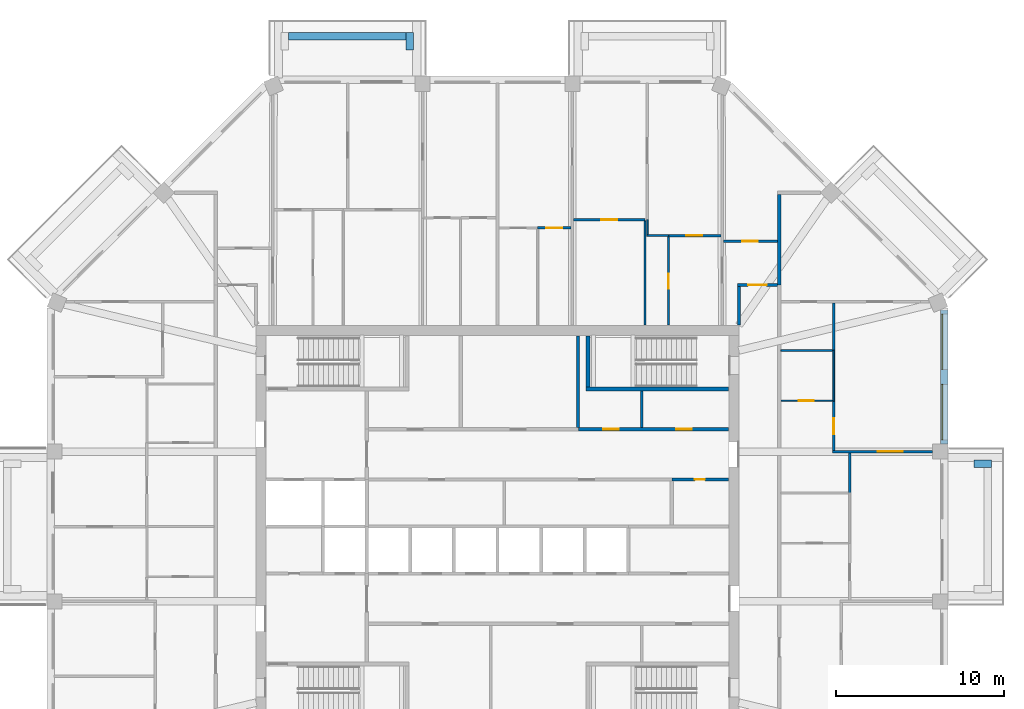
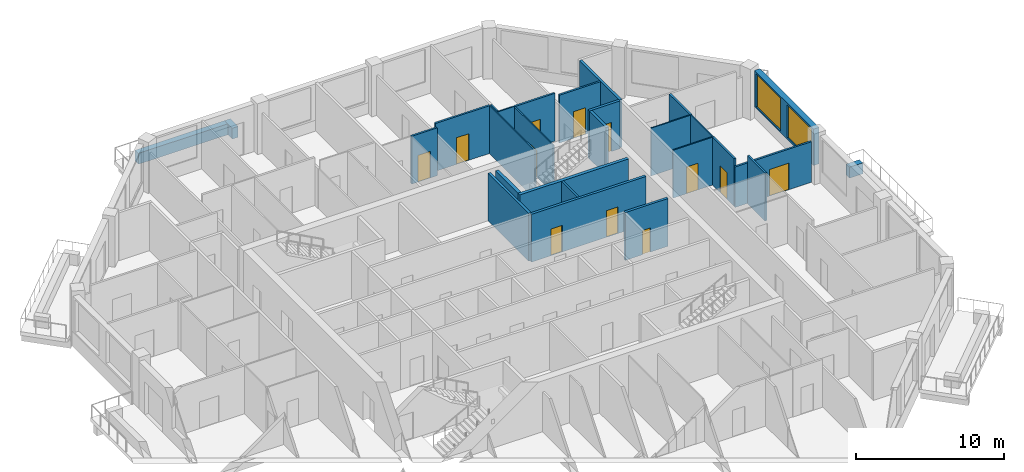
# One storey, part 9 of 13: 28 walls, 12 doors, 2 windows, 14 openings.
"""IFC4 building model written with IfcOpenShell, lengths in metres."""

from ifc_helpers import new_model, si_unit, direction, frame, frame_2d, origin, place, context, subcontext, project, spatial, rectangle, extrude, material, layer, layer_set, type_object, element, fill, save


model = new_model("IFC4")

# Units and contexts
model_context = context("Model", 3, precision=1e-05, world=origin(), true_north=direction((0.0, 1.0)))
body_context = subcontext(model_context, "Body", "Model", "MODEL_VIEW")
ifc_project = project(units=[si_unit("LENGTHUNIT", "METRE"), si_unit("AREAUNIT", "SQUARE_METRE"), si_unit("VOLUMEUNIT", "CUBIC_METRE"), si_unit("PLANEANGLEUNIT", "RADIAN"), si_unit("MASSUNIT", "GRAM", prefix="KILO")], contexts=[model_context])

# Site, building, storey
site_placement = place(None, origin())
site = spatial("IfcSite", under=ifc_project, at=site_placement, CompositionType="ELEMENT")
building_placement = place(site_placement, origin())
building = spatial("IfcBuilding", under=site, at=building_placement, Name="Msitu Wima Residences", CompositionType="ELEMENT")
storey_placement = place(building_placement, frame((0.0, 0.0, 281.10009765625)))
storey = spatial("IfcBuildingStorey", under=building, at=storey_placement, Name="L65", CompositionType="ELEMENT", Elevation=281.10009765625)

# Walls
ifc_material_1 = material(Name="Facing brick")
ifc_layer_1 = layer(ifc_material_1, 0.06494140625, Name="Facing brick")
ifc_material_2 = material(Name="Concrete C40/50", Category="concrete")
ifc_layer_2 = layer(ifc_material_2, 0.156005859375, Name="Concrete C40/50")
ifc_material_3 = material(Name="Waterproofing membrane")
ifc_layer_3 = layer(ifc_material_3, 0.00390625, Name="Waterproofing membrane")
ifc_material_4 = material(Name="Planting soil and planting")
ifc_layer_4 = layer(ifc_material_4, 0.22509765625, Name="Planting soil and planting")
ifc_layer_set_1 = layer_set([ifc_layer_1, ifc_layer_2, ifc_layer_3, ifc_layer_4], Name="Concrete C40/50")
wall_type_1 = type_object("IfcWallType", Name="Balcony planter PLANTER PL450", PredefinedType="USERDEFINED", material=ifc_layer_set_1)
wall_1_placement = place(storey_placement, frame((28.39990234375, 3.74365234375, 0.0), z_axis=(0.0, 0.0, 1.0), x_axis=(1.0, 0.0, 0.0)))
element("IfcWall", 1, at=wall_1_placement, inside=storey, type_object=wall_type_1, Name="Balcony planter E1 L65", ObjectType="PLANTER", PredefinedType="USERDEFINED", context=body_context, shape_type="SweptSolid", body=[
    extrude(rectangle(XDim=1.050048828125, YDim=0.449951171875, at=frame_2d((0.52490234375, 0.0))), origin(), (0.0, 0.0, 1.0), 0.89990234375),
])
wall_2_placement = place(storey_placement, frame((-5.468505859375, 29.22509765625, 0.0), z_axis=(0.0, 0.0, 1.0), x_axis=(-1.0, 0.0, 0.0)))
element("IfcWall", 2, at=wall_2_placement, inside=storey, type_object=wall_type_1, Name="Balcony planter N2 L65", ObjectType="PLANTER", PredefinedType="USERDEFINED", context=body_context, shape_type="SweptSolid", body=[
    extrude(rectangle(XDim=6.9873046875, YDim=0.449951171875, at=frame_2d((3.49365234375, 0.0))), origin(), (0.0, 0.0, 1.0), 0.89990234375),
])
wall_3_placement = place(storey_placement, frame((-5.24365234375, 28.39990234375, 0.0), z_axis=(0.0, 0.0, 1.0), x_axis=(0.0, 1.0, 0.0)))
element("IfcWall", 3, at=wall_3_placement, inside=storey, type_object=wall_type_1, Name="Balcony planter N2 L65", ObjectType="PLANTER", PredefinedType="USERDEFINED", context=body_context, shape_type="SweptSolid", body=[
    extrude(rectangle(XDim=1.050048828125, YDim=0.449951171875, at=frame_2d((0.52490234375, 0.0))), origin(), (0.0, 0.0, 1.0), 0.89990234375),
])

# Wall, openings, windows
ifc_material_5 = material(Name="Brick (red buff mix)", Category="masonry")
ifc_layer_5 = layer(ifc_material_5, 0.449951171875)
ifc_layer_set_2 = layer_set([ifc_layer_5], Name="Brick (red buff mix)")
wall_type_2 = type_object("IfcWallType", Name="Brick infill wall BW450", PredefinedType="SOLIDWALL", material=ifc_layer_set_2)
wall_4_placement = place(storey_placement, frame((26.625, 4.918701171875, 0.89990234375), z_axis=(0.0, 0.0, 1.0), x_axis=(0.0, 1.0, 0.0)))
wall_4 = element("IfcWall", 4, at=wall_4_placement, inside=storey, type_object=wall_type_2, Name="Brick infill wall L65 E2", PredefinedType="SOLIDWALL", context=body_context, shape_type="SweptSolid", body=[
    extrude(rectangle(XDim=8.0, YDim=0.449951171875, at=frame_2d((4.0, 0.0))), origin(), (0.0, 0.0, 1.0), 3.0),
])
opening_1_placement = place(wall_4_placement, frame((0.25, 0.0, 0.14990234375)))
opening_1 = element("IfcOpeningElement", 5, at=opening_1_placement, cuts=wall_4, Name="Opening W65-67.004", PredefinedType="OPENING", context=body_context, shape_type="SweptSolid", body=[
    extrude(rectangle(XDim=3.300048828125, YDim=2.699951171875, at=frame_2d((1.64990234375, 1.35009765625))), frame((0.0, 0.23486328125, 0.0), z_axis=(0.0, -1.0, 0.0), x_axis=(1.0, 0.0, 0.0)), (0.0, 0.0, 1.0), 0.469970703125),
])
opening_2_placement = place(wall_4_placement, frame((4.4501953125, 0.0, 0.14990234375)))
opening_2 = element("IfcOpeningElement", 6, at=opening_2_placement, cuts=wall_4, Name="Opening W65-67.005", PredefinedType="OPENING", context=body_context, shape_type="SweptSolid", body=[
    extrude(rectangle(XDim=3.300048828125, YDim=2.699951171875, at=frame_2d((1.64990234375, 1.35009765625))), frame((0.0, 0.23486328125, 0.0), z_axis=(0.0, -1.0, 0.0), x_axis=(1.0, 0.0, 0.0)), (0.0, 0.0, 1.0), 0.469970703125),
])
ifc_material_6 = material(Name="Anodised aluminium, bronze finish, clear low-emissivity double glazing", Category="aluminium")
window_type = type_object("IfcWindowType", Name="Window W3300x2700", PartitioningType="DOUBLE_PANEL_VERTICAL", PredefinedType="WINDOW", material=ifc_material_6)
window_1_placement = place(opening_1_placement, origin())
window_1 = element("IfcWindow", 7, at=window_1_placement, inside=storey, type_object=window_type, Name="Window L65 E2.1", OverallHeight=2.699951171875, OverallWidth=3.300048828125, PartitioningType="SINGLE_PANEL", PredefinedType="WINDOW", context=body_context, shape_type="SweptSolid", body=[
    extrude(rectangle(XDim=3.300048828125, YDim=2.699951171875, at=frame_2d((1.64990234375, 1.35009765625))), frame((0.0, 0.135009765625, 0.0), z_axis=(0.0, -1.0, 0.0), x_axis=(1.0, 0.0, 0.0)), (0.0, 0.0, 1.0), 0.06005859375),
])
fill(opening_1, window_1)
window_2_placement = place(opening_2_placement, origin())
window_2 = element("IfcWindow", 8, at=window_2_placement, inside=storey, type_object=window_type, Name="Window L65 E2.2", OverallHeight=2.699951171875, OverallWidth=3.300048828125, PartitioningType="SINGLE_PANEL", PredefinedType="WINDOW", context=body_context, shape_type="SweptSolid", body=[
    extrude(rectangle(XDim=3.300048828125, YDim=2.699951171875, at=frame_2d((1.64990234375, 1.35009765625))), frame((0.0, 0.135009765625, 0.0), z_axis=(0.0, -1.0, 0.0), x_axis=(1.0, 0.0, 0.0)), (0.0, 0.0, 1.0), 0.06005859375),
])
fill(opening_2, window_2)

# Wall, openings, doors
ifc_material_7 = material(Name="Plaster")
ifc_layer_6 = layer(ifc_material_7, 0.011962890625, Name="Plaster")
ifc_material_8 = material(Name="Concrete blockwork", Category="masonry")
ifc_layer_7 = layer(ifc_material_8, 0.176025390625, Name="Concrete blockwork")
ifc_layer_8 = layer(ifc_material_7, 0.011962890625, Name="Plaster")
ifc_layer_set_3 = layer_set([ifc_layer_6, ifc_layer_7, ifc_layer_8], Name="Concrete blockwork")
wall_type_3 = type_object("IfcWallType", Name="Corridor wall FW200", PredefinedType="PARTITIONING", material=ifc_layer_set_3)
wall_5_placement = place(storey_placement, frame((4.820068359375, 5.800048828125, 0.0), z_axis=(0.0, 0.0, 1.0), x_axis=(1.0, 0.0, 0.0)))
wall_5 = element("IfcWall", 9, at=wall_5_placement, inside=storey, type_object=wall_type_3, Name="Corridor wall", PredefinedType="PARTITIONING", context=body_context, shape_type="SweptSolid", body=[
    extrude(rectangle(XDim=8.949951171875, YDim=0.199951171875, at=frame_2d((4.47509765625, 0.0))), origin(), (0.0, 0.0, 1.0), 3.949951171875),
])
opening_3_placement = place(wall_5_placement, frame((1.5, 0.0, 0.0)))
opening_3 = element("IfcOpeningElement", 10, at=opening_3_placement, cuts=wall_5, Name="Opening D65-67.081", PredefinedType="OPENING", context=body_context, shape_type="SweptSolid", body=[
    extrude(rectangle(XDim=0.89990234375, YDim=2.199951171875, at=frame_2d((0.449951171875, 1.10009765625))), frame((0.0, 0.10986328125, 0.0), z_axis=(0.0, -1.0, 0.0), x_axis=(1.0, 0.0, 0.0)), (0.0, 0.0, 1.0), 0.219970703125),
])
opening_4_placement = place(wall_5_placement, frame((5.85009765625, 0.0, 0.0)))
opening_4 = element("IfcOpeningElement", 11, at=opening_4_placement, cuts=wall_5, Name="Opening D65-67.082", PredefinedType="OPENING", context=body_context, shape_type="SweptSolid", body=[
    extrude(rectangle(XDim=0.89990234375, YDim=2.199951171875, at=frame_2d((0.449951171875, 1.10009765625))), frame((0.0, 0.10986328125, 0.0), z_axis=(0.0, -1.0, 0.0), x_axis=(1.0, 0.0, 0.0)), (0.0, 0.0, 1.0), 0.219970703125),
])
ifc_material_9 = material(Name="Timber flush door", Category="wood")
door_type_1 = type_object("IfcDoorType", Name="Service door D05 900x2200", OperationType="SINGLE_SWING_LEFT", PredefinedType="DOOR", material=ifc_material_9)
door_1_placement = place(opening_3_placement, origin())
door_1 = element("IfcDoor", 12, at=door_1_placement, inside=storey, type_object=door_type_1, Name="Service door", OperationType="SINGLE_SWING_RIGHT", OverallHeight=2.199951171875, OverallWidth=0.89990234375, PredefinedType="DOOR", context=body_context, shape_type="SweptSolid", body=[
    extrude(rectangle(XDim=0.89990234375, YDim=2.199951171875, at=frame_2d((0.449951171875, 1.10009765625))), frame((0.0, 0.02490234375, 0.0), z_axis=(0.0, -1.0, 0.0), x_axis=(1.0, 0.0, 0.0)), (0.0, 0.0, 1.0), 0.050048828125),
])
fill(opening_3, door_1)
door_2_placement = place(opening_4_placement, origin())
door_2 = element("IfcDoor", 13, at=door_2_placement, inside=storey, type_object=door_type_1, Name="Service door", OperationType="SINGLE_SWING_LEFT", OverallHeight=2.199951171875, OverallWidth=0.89990234375, PredefinedType="DOOR", context=body_context, shape_type="SweptSolid", body=[
    extrude(rectangle(XDim=0.89990234375, YDim=2.199951171875, at=frame_2d((0.449951171875, 1.10009765625))), frame((0.0, 0.02490234375, 0.0), z_axis=(0.0, -1.0, 0.0), x_axis=(1.0, 0.0, 0.0)), (0.0, 0.0, 1.0), 0.050048828125),
])
fill(opening_4, door_2)

# Wall
wall_6_placement = place(storey_placement, frame((14.39990234375, 12.030029296875, 0.0), z_axis=(0.0, 0.0, 1.0), x_axis=(0.0, 1.0, 0.0)))
element("IfcWall", 14, at=wall_6_placement, inside=storey, type_object=wall_type_3, Name="Corridor wall", PredefinedType="PARTITIONING", context=body_context, shape_type="SweptSolid", body=[
    extrude(rectangle(XDim=2.27001953125, YDim=0.199951171875, at=frame_2d((1.135009765625, 0.0))), origin(), (0.0, 0.0, 1.0), 3.949951171875),
])

# Wall, opening, door
wall_7_placement = place(storey_placement, frame((14.300048828125, 14.39990234375, 0.0), z_axis=(0.0, 0.0, 1.0), x_axis=(1.0, 0.0, 0.0)))
wall_7 = element("IfcWall", 15, at=wall_7_placement, inside=storey, type_object=wall_type_3, Name="Corridor wall", PredefinedType="PARTITIONING", context=body_context, shape_type="SweptSolid", body=[
    extrude(rectangle(XDim=2.39990234375, YDim=0.199951171875, at=frame_2d((1.199951171875, 0.0))), origin(), (0.0, 0.0, 1.0), 3.949951171875),
])
opening_5_placement = place(wall_7_placement, frame((0.64990234375, 0.0, 0.0)))
opening_5 = element("IfcOpeningElement", 16, at=opening_5_placement, cuts=wall_7, Name="Opening D65-67.022", PredefinedType="OPENING", context=body_context, shape_type="SweptSolid", body=[
    extrude(rectangle(XDim=1.10009765625, YDim=2.39990234375, at=frame_2d((0.550048828125, 1.199951171875))), frame((0.0, 0.10986328125, 0.0), z_axis=(0.0, -1.0, 0.0), x_axis=(1.0, 0.0, 0.0)), (0.0, 0.0, 1.0), 0.219970703125),
])
ifc_material_10 = material(Name="Timber flush door, fire resisting, self-closing", Category="wood")
door_type_2 = type_object("IfcDoorType", Name="Flat entrance door D01 1100x2400", OperationType="SINGLE_SWING_LEFT", PredefinedType="DOOR", material=ifc_material_10)
door_3_placement = place(opening_5_placement, origin())
door_3 = element("IfcDoor", 17, at=door_3_placement, inside=storey, type_object=door_type_2, Name="Flat entrance door", OperationType="SINGLE_SWING_RIGHT", OverallHeight=2.39990234375, OverallWidth=1.10009765625, PredefinedType="DOOR", context=body_context, shape_type="SweptSolid", body=[
    extrude(rectangle(XDim=1.10009765625, YDim=2.39990234375, at=frame_2d((0.550048828125, 1.199951171875))), frame((0.0, 0.02490234375, 0.0), z_axis=(0.0, -1.0, 0.0), x_axis=(1.0, 0.0, 0.0)), (0.0, 0.0, 1.0), 0.050048828125),
])
fill(opening_5, door_3)

ifc_layer_9 = layer(ifc_material_7, 0.011962890625, Name="Plaster")
ifc_layer_10 = layer(ifc_material_8, 0.1259765625, Name="Concrete blockwork")
ifc_layer_11 = layer(ifc_material_7, 0.011962890625, Name="Plaster")
ifc_layer_set_4 = layer_set([ifc_layer_9, ifc_layer_10, ifc_layer_11], Name="Concrete blockwork")
wall_type_4 = type_object("IfcWallType", Name="Partition PW150", PredefinedType="PARTITIONING", material=ifc_layer_set_4)
wall_8_placement = place(storey_placement, frame((2.39990234375, 17.800048828125, 0.0), z_axis=(0.0, 0.0, 1.0), x_axis=(1.0, 0.0, 0.0)))
wall_8 = element("IfcWall", 18, at=wall_8_placement, inside=storey, type_object=wall_type_4, Name="Partition", PredefinedType="PARTITIONING", context=body_context, shape_type="SweptSolid", body=[
    extrude(rectangle(XDim=1.99365234375, YDim=0.14990234375, at=frame_2d((0.996826171875, 0.0))), origin(), (0.0, 0.0, 1.0), 3.949951171875),
])
opening_6_placement = place(wall_8_placement, frame((0.5, 0.0, 0.0)))
opening_6 = element("IfcOpeningElement", 19, at=opening_6_placement, cuts=wall_8, Name="Opening D65-67.031", PredefinedType="OPENING", context=body_context, shape_type="SweptSolid", body=[
    extrude(rectangle(XDim=0.949951171875, YDim=2.199951171875, at=frame_2d((0.47509765625, 1.10009765625))), frame((0.0, 0.0849609375, 0.0), z_axis=(0.0, -1.0, 0.0), x_axis=(1.0, 0.0, 0.0)), (0.0, 0.0, 1.0), 0.169921875),
])
door_type_3 = type_object("IfcDoorType", Name="Room door D12 950x2200", OperationType="SINGLE_SWING_LEFT", PredefinedType="DOOR", material=ifc_material_9)
door_4_placement = place(opening_6_placement, origin())
door_4 = element("IfcDoor", 20, at=door_4_placement, inside=storey, type_object=door_type_3, Name="Room door", OperationType="SINGLE_SWING_RIGHT", OverallHeight=2.199951171875, OverallWidth=0.949951171875, PredefinedType="DOOR", context=body_context, shape_type="SweptSolid", body=[
    extrude(rectangle(XDim=0.949951171875, YDim=2.199951171875, at=frame_2d((0.47509765625, 1.10009765625))), frame((0.0, 0.02490234375, 0.0), z_axis=(0.0, -1.0, 0.0), x_axis=(1.0, 0.0, 0.0)), (0.0, 0.0, 1.0), 0.050048828125),
])
fill(opening_6, door_4)

wall_9_placement = place(storey_placement, frame((4.543701171875, 18.300048828125, 0.0), z_axis=(0.0, 0.0, 1.0), x_axis=(1.0, 0.0, 0.0)))
wall_9 = element("IfcWall", 21, at=wall_9_placement, inside=storey, type_object=wall_type_4, Name="Partition", PredefinedType="PARTITIONING", context=body_context, shape_type="SweptSolid", body=[
    extrude(rectangle(XDim=4.25634765625, YDim=0.14990234375, at=frame_2d((2.128173828125, 0.0))), origin(), (0.0, 0.0, 1.0), 3.949951171875),
])
opening_7_placement = place(wall_9_placement, frame((1.64990234375, 0.0, 0.0)))
opening_7 = element("IfcOpeningElement", 22, at=opening_7_placement, cuts=wall_9, Name="Opening D65-67.028", PredefinedType="OPENING", context=body_context, shape_type="SweptSolid", body=[
    extrude(rectangle(XDim=0.949951171875, YDim=2.199951171875, at=frame_2d((0.47509765625, 1.10009765625))), frame((0.0, 0.0849609375, 0.0), z_axis=(0.0, -1.0, 0.0), x_axis=(1.0, 0.0, 0.0)), (0.0, 0.0, 1.0), 0.169921875),
])
door_5_placement = place(opening_7_placement, origin())
door_5 = element("IfcDoor", 23, at=door_5_placement, inside=storey, type_object=door_type_3, Name="Room door", OperationType="SINGLE_SWING_LEFT", OverallHeight=2.199951171875, OverallWidth=0.949951171875, PredefinedType="DOOR", context=body_context, shape_type="SweptSolid", body=[
    extrude(rectangle(XDim=0.949951171875, YDim=2.199951171875, at=frame_2d((0.47509765625, 1.10009765625))), frame((0.0, 0.02490234375, 0.0), z_axis=(0.0, -1.0, 0.0), x_axis=(1.0, 0.0, 0.0)), (0.0, 0.0, 1.0), 0.050048828125),
])
fill(opening_7, door_5)

# Wall
wall_10_placement = place(storey_placement, frame((8.60009765625, 5.89990234375, 0.0), z_axis=(0.0, 0.0, 1.0), x_axis=(0.0, 1.0, 0.0)))
element("IfcWall", 24, at=wall_10_placement, inside=storey, type_object=wall_type_4, Name="Partition", PredefinedType="PARTITIONING", context=body_context, shape_type="SweptSolid", body=[
    extrude(rectangle(XDim=2.175048828125, YDim=0.14990234375, at=frame_2d((1.08740234375, 0.0))), origin(), (0.0, 0.0, 1.0), 3.949951171875),
])

# Wall, opening, door
wall_11_placement = place(storey_placement, frame((10.199951171875, 17.35009765625, 0.0), z_axis=(0.0, 0.0, 1.0), x_axis=(1.0, 0.0, 0.0)))
wall_11 = element("IfcWall", 25, at=wall_11_placement, inside=storey, type_object=wall_type_4, Name="Partition", PredefinedType="PARTITIONING", context=body_context, shape_type="SweptSolid", body=[
    extrude(rectangle(XDim=3.130859375, YDim=0.14990234375, at=frame_2d((1.5654296875, 0.0))), origin(), (0.0, 0.0, 1.0), 3.949951171875),
])
opening_8_placement = place(wall_11_placement, frame((1.050048828125, 0.0, 0.0)))
opening_8 = element("IfcOpeningElement", 26, at=opening_8_placement, cuts=wall_11, Name="Opening D65-67.024", PredefinedType="OPENING", context=body_context, shape_type="SweptSolid", body=[
    extrude(rectangle(XDim=0.949951171875, YDim=2.199951171875, at=frame_2d((0.47509765625, 1.10009765625))), frame((0.0, 0.0849609375, 0.0), z_axis=(0.0, -1.0, 0.0), x_axis=(1.0, 0.0, 0.0)), (0.0, 0.0, 1.0), 0.169921875),
])
door_6_placement = place(opening_8_placement, origin())
door_6 = element("IfcDoor", 27, at=door_6_placement, inside=storey, type_object=door_type_3, Name="Room door", OperationType="SINGLE_SWING_RIGHT", OverallHeight=2.199951171875, OverallWidth=0.949951171875, PredefinedType="DOOR", context=body_context, shape_type="SweptSolid", body=[
    extrude(rectangle(XDim=0.949951171875, YDim=2.199951171875, at=frame_2d((0.47509765625, 1.10009765625))), frame((0.0, 0.02490234375, 0.0), z_axis=(0.0, -1.0, 0.0), x_axis=(1.0, 0.0, 0.0)), (0.0, 0.0, 1.0), 0.050048828125),
])
fill(opening_8, door_6)

wall_12_placement = place(storey_placement, frame((13.48095703125, 17.0, 0.0), z_axis=(0.0, 0.0, 1.0), x_axis=(1.0, 0.0, 0.0)))
wall_12 = element("IfcWall", 28, at=wall_12_placement, inside=storey, type_object=wall_type_4, Name="Partition", PredefinedType="PARTITIONING", context=body_context, shape_type="SweptSolid", body=[
    extrude(rectangle(XDim=3.218994140625, YDim=0.14990234375, at=frame_2d((1.609375, 0.0))), origin(), (0.0, 0.0, 1.0), 3.949951171875),
])
opening_9_placement = place(wall_12_placement, frame((1.10009765625, 0.0, 0.0)))
opening_9 = element("IfcOpeningElement", 29, at=opening_9_placement, cuts=wall_12, Name="Opening D65-67.025", PredefinedType="OPENING", context=body_context, shape_type="SweptSolid", body=[
    extrude(rectangle(XDim=0.949951171875, YDim=2.199951171875, at=frame_2d((0.47509765625, 1.10009765625))), frame((0.0, 0.0849609375, 0.0), z_axis=(0.0, -1.0, 0.0), x_axis=(1.0, 0.0, 0.0)), (0.0, 0.0, 1.0), 0.169921875),
])
door_7_placement = place(opening_9_placement, origin())
door_7 = element("IfcDoor", 30, at=door_7_placement, inside=storey, type_object=door_type_3, Name="Room door", OperationType="SINGLE_SWING_LEFT", OverallHeight=2.199951171875, OverallWidth=0.949951171875, PredefinedType="DOOR", context=body_context, shape_type="SweptSolid", body=[
    extrude(rectangle(XDim=0.949951171875, YDim=2.199951171875, at=frame_2d((0.47509765625, 1.10009765625))), frame((0.0, 0.02490234375, 0.0), z_axis=(0.0, -1.0, 0.0), x_axis=(1.0, 0.0, 0.0)), (0.0, 0.0, 1.0), 0.050048828125),
])
fill(opening_9, door_7)

wall_13_placement = place(storey_placement, frame((20.050048828125, 4.543701171875, 0.0), z_axis=(0.0, 0.0, 1.0), x_axis=(0.0, 1.0, 0.0)))
wall_13 = element("IfcWall", 31, at=wall_13_placement, inside=storey, type_object=wall_type_4, Name="Partition", PredefinedType="PARTITIONING", context=body_context, shape_type="SweptSolid", body=[
    extrude(rectangle(XDim=2.936279296875, YDim=0.14990234375, at=frame_2d((1.46826171875, 0.0))), origin(), (0.0, 0.0, 1.0), 3.949951171875),
])
opening_10_placement = place(wall_13_placement, frame((0.949951171875, 0.0, 0.0)))
opening_10 = element("IfcOpeningElement", 32, at=opening_10_placement, cuts=wall_13, Name="Opening D65-67.020", PredefinedType="OPENING", context=body_context, shape_type="SweptSolid", body=[
    extrude(rectangle(XDim=0.949951171875, YDim=2.199951171875, at=frame_2d((0.47509765625, 1.10009765625))), frame((0.0, 0.0849609375, 0.0), z_axis=(0.0, -1.0, 0.0), x_axis=(1.0, 0.0, 0.0)), (0.0, 0.0, 1.0), 0.169921875),
])
door_8_placement = place(opening_10_placement, origin())
door_8 = element("IfcDoor", 33, at=door_8_placement, inside=storey, type_object=door_type_3, Name="Room door", OperationType="SINGLE_SWING_RIGHT", OverallHeight=2.199951171875, OverallWidth=0.949951171875, PredefinedType="DOOR", context=body_context, shape_type="SweptSolid", body=[
    extrude(rectangle(XDim=0.949951171875, YDim=2.199951171875, at=frame_2d((0.47509765625, 1.10009765625))), frame((0.0, 0.02490234375, 0.0), z_axis=(0.0, -1.0, 0.0), x_axis=(1.0, 0.0, 0.0)), (0.0, 0.0, 1.0), 0.050048828125),
])
fill(opening_10, door_8)

wall_14_placement = place(storey_placement, frame((19.97509765625, 4.46875, 0.0), z_axis=(0.0, 0.0, 1.0), x_axis=(1.0, 0.0, 0.0)))
wall_14 = element("IfcWall", 34, at=wall_14_placement, inside=storey, type_object=wall_type_4, Name="Partition", PredefinedType="PARTITIONING", context=body_context, shape_type="SweptSolid", body=[
    extrude(rectangle(XDim=5.974853515625, YDim=0.14990234375, at=frame_2d((2.9873046875, 0.0))), origin(), (0.0, 0.0, 1.0), 3.349853515625),
])
opening_11_placement = place(wall_14_placement, frame((2.699951171875, 0.0, 0.0)))
opening_11 = element("IfcOpeningElement", 35, at=opening_11_placement, cuts=wall_14, Name="Opening D65-67.018", PredefinedType="OPENING", context=body_context, shape_type="SweptSolid", body=[
    extrude(rectangle(XDim=1.5, YDim=2.199951171875, at=frame_2d((0.75, 1.10009765625))), frame((0.0, 0.0849609375, 0.0), z_axis=(0.0, -1.0, 0.0), x_axis=(1.0, 0.0, 0.0)), (0.0, 0.0, 1.0), 0.169921875),
])
ifc_material_11 = material(Name="Timber double door", Category="wood")
door_type_4 = type_object("IfcDoorType", Name="Double door D04 1500x2200", OperationType="DOUBLE_DOOR_SINGLE_SWING", PredefinedType="DOOR", material=ifc_material_11)
door_9_placement = place(opening_11_placement, origin())
door_9 = element("IfcDoor", 36, at=door_9_placement, inside=storey, type_object=door_type_4, Name="Double door", OperationType="DOUBLE_DOOR_SINGLE_SWING", OverallHeight=2.199951171875, OverallWidth=1.5, PredefinedType="DOOR", context=body_context, shape_type="SweptSolid", body=[
    extrude(rectangle(XDim=1.5, YDim=2.199951171875, at=frame_2d((0.75, 1.10009765625))), frame((0.0, 0.02490234375, 0.0), z_axis=(0.0, -1.0, 0.0), x_axis=(1.0, 0.0, 0.0)), (0.0, 0.0, 1.0), 0.050048828125),
])
fill(opening_11, door_9)

# Walls
wall_15_placement = place(storey_placement, frame((20.050048828125, 10.5, 0.0), z_axis=(0.0, 0.0, 1.0), x_axis=(0.0, 1.0, 0.0)))
element("IfcWall", 37, at=wall_15_placement, inside=storey, type_object=wall_type_4, Name="Partition", PredefinedType="PARTITIONING", context=body_context, shape_type="SweptSolid", body=[
    extrude(rectangle(XDim=2.830810546875, YDim=0.14990234375, at=frame_2d((1.41552734375, 0.0))), origin(), (0.0, 0.0, 1.0), 3.949951171875),
])
wall_16_placement = place(storey_placement, frame((21.0, 2.0, 0.0), z_axis=(0.0, 0.0, 1.0), x_axis=(0.0, 1.0, 0.0)))
element("IfcWall", 38, at=wall_16_placement, inside=storey, type_object=wall_type_4, Name="Partition", PredefinedType="PARTITIONING", context=body_context, shape_type="SweptSolid", body=[
    extrude(rectangle(XDim=2.3935546875, YDim=0.14990234375, at=frame_2d((1.19677734375, 0.0))), origin(), (0.0, 0.0, 1.0), 3.949951171875),
])
ifc_layer_12 = layer(ifc_material_7, 0.011962890625, Name="Plaster")
ifc_material_12 = material(Name="Dense concrete blockwork", Category="masonry")
ifc_layer_13 = layer(ifc_material_12, 0.176025390625, Name="Dense concrete blockwork")
ifc_layer_14 = layer(ifc_material_7, 0.011962890625, Name="Plaster")
ifc_layer_set_5 = layer_set([ifc_layer_12, ifc_layer_13, ifc_layer_14], Name="Dense concrete blockwork")
wall_type_5 = type_object("IfcWallType", Name="Party wall PW200", PredefinedType="PARTITIONING", material=ifc_layer_set_5)
wall_17_placement = place(storey_placement, frame((16.800048828125, 14.39990234375, 0.0), z_axis=(0.0, 0.0, 1.0), x_axis=(0.0, 1.0, 0.0)))
element("IfcWall", 39, at=wall_17_placement, inside=storey, type_object=wall_type_5, Name="Party wall", PredefinedType="PARTITIONING", context=body_context, shape_type="SweptSolid", body=[
    extrude(rectangle(XDim=5.403076171875, YDim=0.199951171875, at=frame_2d((2.70166015625, 0.0))), origin(), (0.0, 0.0, 1.0), 3.949951171875),
])
ifc_layer_15 = layer(ifc_material_7, 0.011962890625, Name="Plaster")
ifc_material_13 = material(Name="Reinforced concrete blockwork", Category="masonry")
ifc_layer_16 = layer(ifc_material_13, 0.176025390625, Name="Reinforced concrete blockwork")
ifc_layer_17 = layer(ifc_material_7, 0.011962890625, Name="Plaster")
ifc_layer_set_6 = layer_set([ifc_layer_15, ifc_layer_16, ifc_layer_17], Name="Reinforced concrete blockwork")
wall_type_6 = type_object("IfcWallType", Name="Plant and riser wall PL200", PredefinedType="PARTITIONING", material=ifc_layer_set_6)
wall_18_placement = place(storey_placement, frame((4.800048828125, 5.89990234375, 0.0), z_axis=(0.0, 0.0, 1.0), x_axis=(0.0, 1.0, 0.0)))
element("IfcWall", 40, at=wall_18_placement, inside=storey, type_object=wall_type_6, Name="Plant and riser wall", PredefinedType="PARTITIONING", context=body_context, shape_type="SweptSolid", body=[
    extrude(rectangle(XDim=5.47021484375, YDim=0.199951171875, at=frame_2d((2.735107421875, 0.0))), origin(), (0.0, 0.0, 1.0), 3.949951171875),
])

# Wall, opening, door
wall_19_placement = place(storey_placement, frame((10.419921875, 2.800048828125, 0.0), z_axis=(0.0, 0.0, 1.0), x_axis=(1.0, 0.0, 0.0)))
wall_19 = element("IfcWall", 41, at=wall_19_placement, inside=storey, type_object=wall_type_6, Name="Plant and riser wall", PredefinedType="PARTITIONING", context=body_context, shape_type="SweptSolid", body=[
    extrude(rectangle(XDim=3.35009765625, YDim=0.199951171875, at=frame_2d((1.675048828125, 0.0))), origin(), (0.0, 0.0, 1.0), 3.949951171875),
])
opening_12_placement = place(wall_19_placement, frame((1.35009765625, 0.0, 0.0)))
opening_12 = element("IfcOpeningElement", 42, at=opening_12_placement, cuts=wall_19, Name="Opening D65-67.090", PredefinedType="OPENING", context=body_context, shape_type="SweptSolid", body=[
    extrude(rectangle(XDim=0.60009765625, YDim=2.0, at=frame_2d((0.300048828125, 1.0))), frame((0.0, 0.10986328125, 0.0), z_axis=(0.0, -1.0, 0.0), x_axis=(1.0, 0.0, 0.0)), (0.0, 0.0, 1.0), 0.219970703125),
])
ifc_material_14 = material(Name="Steel access door, fire resisting", Category="steel")
door_type_5 = type_object("IfcDoorType", Name="Riser access door D08 600x2000", OperationType="SINGLE_SWING_LEFT", PredefinedType="DOOR", material=ifc_material_14)
door_10_placement = place(opening_12_placement, origin())
door_10 = element("IfcDoor", 43, at=door_10_placement, inside=storey, type_object=door_type_5, Name="Riser access door", OperationType="SINGLE_SWING_RIGHT", OverallHeight=2.0, OverallWidth=0.60009765625, PredefinedType="DOOR", context=body_context, shape_type="SweptSolid", body=[
    extrude(rectangle(XDim=0.60009765625, YDim=2.0, at=frame_2d((0.300048828125, 1.0))), frame((0.0, 0.02490234375, 0.0), z_axis=(0.0, -1.0, 0.0), x_axis=(1.0, 0.0, 0.0)), (0.0, 0.0, 1.0), 0.050048828125),
])
fill(opening_12, door_10)

# Walls
ifc_material_15 = material(Name="Concrete C50/60", Category="concrete")
ifc_layer_18 = layer(ifc_material_15, 0.25)
ifc_layer_set_7 = layer_set([ifc_layer_18], Name="Concrete C50/60")
wall_type_7 = type_object("IfcWallType", Name="Stair enclosure wall SW250", PredefinedType="SHEAR", material=ifc_layer_set_7)
wall_20_placement = place(storey_placement, frame((5.39990234375, 8.324951171875, 0.0), z_axis=(0.0, 0.0, 1.0), x_axis=(0.0, 1.0, 0.0)))
element("IfcWall", 44, at=wall_20_placement, inside=storey, type_object=wall_type_7, Name="Stair enclosure wall", PredefinedType="SHEAR", context=body_context, shape_type="SweptSolid", body=[
    extrude(rectangle(XDim=3.045166015625, YDim=0.25, at=frame_2d((1.5224609375, 0.0))), origin(), (0.0, 0.0, 1.0), 3.949951171875),
])
wall_21_placement = place(storey_placement, frame((5.27490234375, 8.199951171875, 0.0), z_axis=(0.0, 0.0, 1.0), x_axis=(1.0, 0.0, 0.0)))
element("IfcWall", 45, at=wall_21_placement, inside=storey, type_object=wall_type_7, Name="Stair enclosure wall", PredefinedType="SHEAR", context=body_context, shape_type="SweptSolid", body=[
    extrude(rectangle(XDim=8.4951171875, YDim=0.25, at=frame_2d((4.24755859375, 0.0))), origin(), (0.0, 0.0, 1.0), 3.949951171875),
])
ifc_material_16 = material(Name="Ceramic tiles")
ifc_layer_19 = layer(ifc_material_16, 0.008056640625, Name="Ceramic tiles")
ifc_material_17 = material(Name="Moisture-resistant board")
ifc_layer_20 = layer(ifc_material_17, 0.012451171875, Name="Moisture-resistant board")
ifc_material_18 = material(Name="Light-gauge stud framing with mineral wool")
ifc_layer_21 = layer(ifc_material_18, 0.06689453125, Name="Light-gauge stud framing with mineral wool")
ifc_layer_22 = layer(ifc_material_17, 0.012451171875, Name="Moisture-resistant board")
ifc_layer_set_8 = layer_set([ifc_layer_19, ifc_layer_20, ifc_layer_21, ifc_layer_22], Name="Light-gauge stud framing with mineral wool")
wall_type_8 = type_object("IfcWallType", Name="Wet wall PW100", PredefinedType="PARTITIONING", material=ifc_layer_set_8)
wall_22_placement = place(storey_placement, frame((8.800048828125, 12.030029296875, 0.0), z_axis=(0.0, 0.0, 1.0), x_axis=(0.0, 1.0, 0.0)))
element("IfcWall", 46, at=wall_22_placement, inside=storey, type_object=wall_type_8, Name="Wet wall", PredefinedType="PARTITIONING", context=body_context, shape_type="SweptSolid", body=[
    extrude(rectangle(XDim=6.195068359375, YDim=0.10009765625, at=frame_2d((3.09765625, 0.0))), origin(), (0.0, 0.0, 1.0), 3.949951171875),
])
wall_23_placement = place(storey_placement, frame((8.937255859375, 17.39990234375, 0.0), z_axis=(0.0, 0.0, 1.0), x_axis=(0.0, 1.0, 0.0)))
element("IfcWall", 47, at=wall_23_placement, inside=storey, type_object=wall_type_8, Name="Wet wall", PredefinedType="PARTITIONING", context=body_context, shape_type="SweptSolid", body=[
    extrude(rectangle(XDim=0.900146484375, YDim=0.10009765625, at=frame_2d((0.4501953125, 0.0))), origin(), (0.0, 0.0, 1.0), 3.949951171875),
])
wall_24_placement = place(storey_placement, frame((8.88720703125, 17.35009765625, 0.0), z_axis=(0.0, 0.0, 1.0), x_axis=(1.0, 0.0, 0.0)))
element("IfcWall", 48, at=wall_24_placement, inside=storey, type_object=wall_type_8, Name="Wet wall", PredefinedType="PARTITIONING", context=body_context, shape_type="SweptSolid", body=[
    extrude(rectangle(XDim=1.312744140625, YDim=0.10009765625, at=frame_2d((0.65625, 0.0))), origin(), (0.0, 0.0, 1.0), 3.949951171875),
])

# Wall, opening, door
wall_25_placement = place(storey_placement, frame((10.199951171875, 12.030029296875, 0.0), z_axis=(0.0, 0.0, 1.0), x_axis=(0.0, 1.0, 0.0)))
wall_25 = element("IfcWall", 49, at=wall_25_placement, inside=storey, type_object=wall_type_8, Name="Wet wall", PredefinedType="PARTITIONING", context=body_context, shape_type="SweptSolid", body=[
    extrude(rectangle(XDim=5.244873046875, YDim=0.10009765625, at=frame_2d((2.62255859375, 0.0))), origin(), (0.0, 0.0, 1.0), 3.949951171875),
])
opening_13_placement = place(wall_25_placement, frame((2.14990234375, 0.0, 0.0)))
opening_13 = element("IfcOpeningElement", 50, at=opening_13_placement, cuts=wall_25, Name="Opening D65-67.026", PredefinedType="OPENING", context=body_context, shape_type="SweptSolid", body=[
    extrude(rectangle(XDim=0.89990234375, YDim=2.199951171875, at=frame_2d((0.449951171875, 1.10009765625))), frame((0.0, 0.06005859375, 0.0), z_axis=(0.0, -1.0, 0.0), x_axis=(1.0, 0.0, 0.0)), (0.0, 0.0, 1.0), 0.1201171875),
])
ifc_material_19 = material(Name="Timber flush door, moisture resistant", Category="wood")
door_type_6 = type_object("IfcDoorType", Name="Bathroom door D03 900x2200", OperationType="SINGLE_SWING_LEFT", PredefinedType="DOOR", material=ifc_material_19)
door_11_placement = place(opening_13_placement, origin())
door_11 = element("IfcDoor", 51, at=door_11_placement, inside=storey, type_object=door_type_6, Name="Bathroom door", OperationType="SINGLE_SWING_LEFT", OverallHeight=2.199951171875, OverallWidth=0.89990234375, PredefinedType="DOOR", context=body_context, shape_type="SweptSolid", body=[
    extrude(rectangle(XDim=0.89990234375, YDim=2.199951171875, at=frame_2d((0.449951171875, 1.10009765625))), frame((0.0, 0.02490234375, 0.0), z_axis=(0.0, -1.0, 0.0), x_axis=(1.0, 0.0, 0.0)), (0.0, 0.0, 1.0), 0.050048828125),
])
fill(opening_13, door_11)

wall_26_placement = place(storey_placement, frame((16.89990234375, 7.5, 0.0), z_axis=(0.0, 0.0, 1.0), x_axis=(1.0, 0.0, 0.0)))
wall_26 = element("IfcWall", 52, at=wall_26_placement, inside=storey, type_object=wall_type_8, Name="Wet wall", PredefinedType="PARTITIONING", context=body_context, shape_type="SweptSolid", body=[
    extrude(rectangle(XDim=3.0751953125, YDim=0.10009765625, at=frame_2d((1.53759765625, 0.0))), origin(), (0.0, 0.0, 1.0), 3.949951171875),
])
opening_14_placement = place(wall_26_placement, frame((1.050048828125, 0.0, 0.0)))
opening_14 = element("IfcOpeningElement", 53, at=opening_14_placement, cuts=wall_26, Name="Opening D65-67.021", PredefinedType="OPENING", context=body_context, shape_type="SweptSolid", body=[
    extrude(rectangle(XDim=0.89990234375, YDim=2.199951171875, at=frame_2d((0.449951171875, 1.10009765625))), frame((0.0, 0.06005859375, 0.0), z_axis=(0.0, -1.0, 0.0), x_axis=(1.0, 0.0, 0.0)), (0.0, 0.0, 1.0), 0.1201171875),
])
door_12_placement = place(opening_14_placement, origin())
door_12 = element("IfcDoor", 54, at=door_12_placement, inside=storey, type_object=door_type_1, Name="Service door", OperationType="SINGLE_SWING_RIGHT", OverallHeight=2.199951171875, OverallWidth=0.89990234375, PredefinedType="DOOR", context=body_context, shape_type="SweptSolid", body=[
    extrude(rectangle(XDim=0.89990234375, YDim=2.199951171875, at=frame_2d((0.449951171875, 1.10009765625))), frame((0.0, 0.02490234375, 0.0), z_axis=(0.0, -1.0, 0.0), x_axis=(1.0, 0.0, 0.0)), (0.0, 0.0, 1.0), 0.050048828125),
])
fill(opening_14, door_12)

# Walls
wall_27_placement = place(storey_placement, frame((16.89990234375, 10.5, 0.0), z_axis=(0.0, 0.0, 1.0), x_axis=(1.0, 0.0, 0.0)))
element("IfcWall", 55, at=wall_27_placement, inside=storey, type_object=wall_type_8, Name="Wet wall", PredefinedType="PARTITIONING", context=body_context, shape_type="SweptSolid", body=[
    extrude(rectangle(XDim=3.0751953125, YDim=0.10009765625, at=frame_2d((1.53759765625, 0.0))), origin(), (0.0, 0.0, 1.0), 3.949951171875),
])
wall_28_placement = place(storey_placement, frame((20.050048828125, 7.47998046875, 0.0), z_axis=(0.0, 0.0, 1.0), x_axis=(0.0, 1.0, 0.0)))
element("IfcWall", 56, at=wall_28_placement, inside=storey, type_object=wall_type_8, Name="Wet wall", PredefinedType="PARTITIONING", context=body_context, shape_type="SweptSolid", body=[
    extrude(rectangle(XDim=3.02001953125, YDim=0.10009765625, at=frame_2d((1.510009765625, 0.0))), origin(), (0.0, 0.0, 1.0), 3.949951171875),
])

save(model, "model.ifc")
